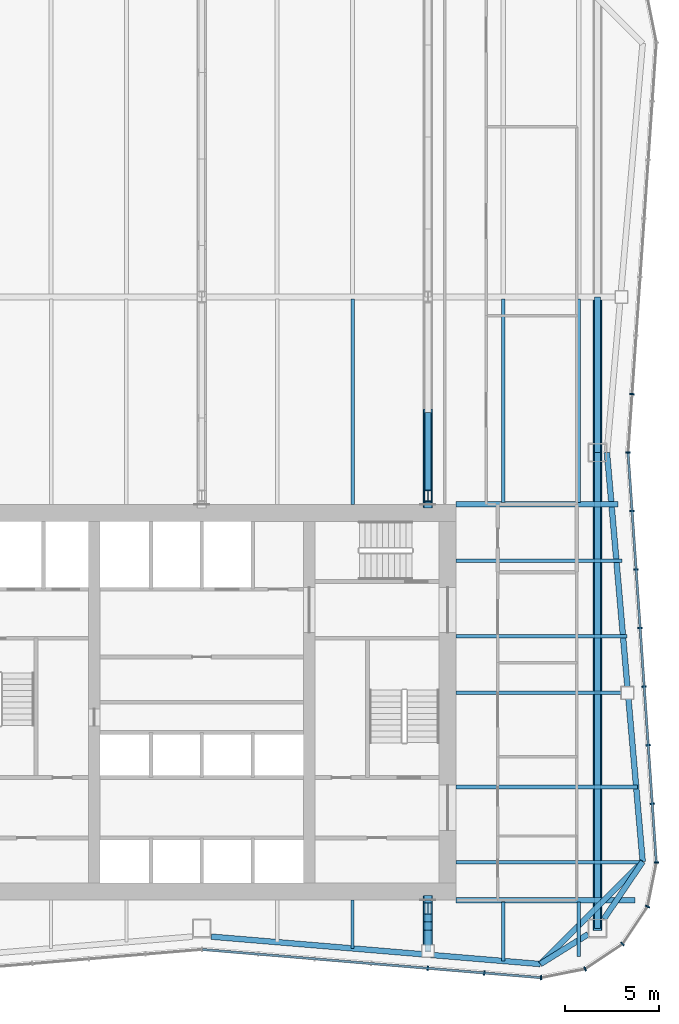
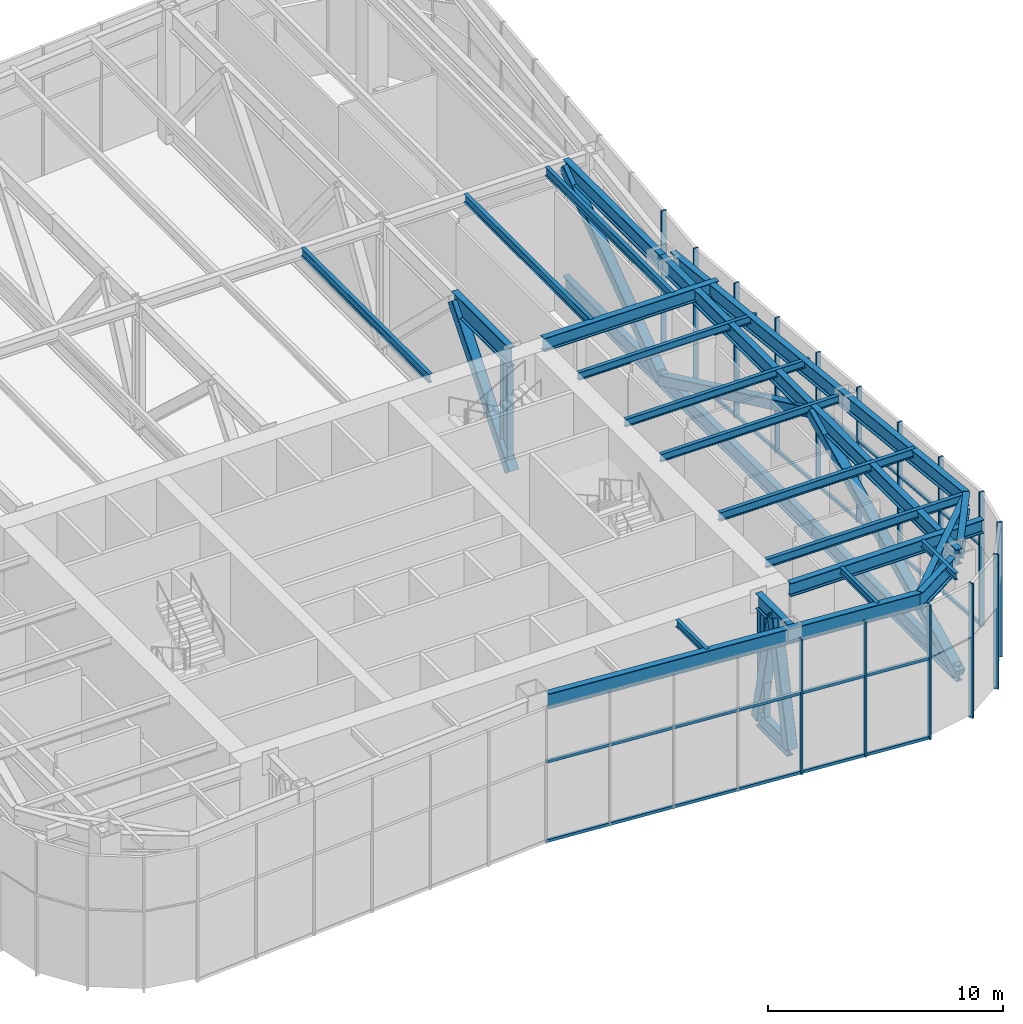
# One storey, part 4 of 14: 36 members, 18 beams, 3 elements without a shape of their own.
"""IFC4 building model written with IfcOpenShell, lengths in metres."""

from ifc_helpers import new_model, si_unit, direction, frame, origin, origin_2d, place, context, subcontext, project, spatial, rectangle, hollow_rectangle, i_section, extrude, material, material_profile, profile_set, type_object, element, aggregate, save


model = new_model("IFC4")

# Units and contexts
model_context = context("Model", 3, precision=1e-05, world=origin(), true_north=direction((0.0, 1.0)))
body_context = subcontext(model_context, "Body", "Model", "MODEL_VIEW")
ifc_project = project(units=[si_unit("LENGTHUNIT", "METRE"), si_unit("AREAUNIT", "SQUARE_METRE"), si_unit("VOLUMEUNIT", "CUBIC_METRE"), si_unit("PLANEANGLEUNIT", "RADIAN"), si_unit("MASSUNIT", "GRAM", prefix="KILO")], contexts=[model_context])

# Site, building, storey
site_placement = place(None, origin())
site = spatial("IfcSite", under=ifc_project, at=site_placement, CompositionType="ELEMENT")
building_placement = place(site_placement, origin())
building = spatial("IfcBuilding", under=site, at=building_placement, Name="Verdant Reach Tower", CompositionType="ELEMENT")
storey_placement = place(building_placement, frame((0.0, 0.0, 226.0)))
storey = spatial("IfcBuildingStorey", under=building, at=storey_placement, Name="L52 Plant", CompositionType="ELEMENT", Elevation=226.0)

# Curtain wall, members
ifc_material_1 = material(Name="Anodised aluminium", Category="aluminium")
curtain_wall_type = type_object("IfcCurtainWallType", Name="EN-CW SYSTEM PLANT", PredefinedType="NOTDEFINED", material=ifc_material_1)
curtain_wall_1_placement = place(storey_placement, origin())
curtain_wall_1 = element("IfcCurtainWall", 1, at=curtain_wall_1_placement, inside=storey, type_object=curtain_wall_type, Name="Curtain wall south-east corner, L52", PredefinedType="NOTDEFINED")
ifc_material_profile_1 = material_profile(ifc_material_1, rectangle(XDim=0.238037109375, YDim=0.080078125, at=origin_2d()), Name="Mullion 80x240")
ifc_profile_set_1 = profile_set([ifc_material_profile_1], Name="Anodised aluminium")
member_type_1 = type_object("IfcMemberType", Name="EN-MULLION PLANT", PredefinedType="MULLION", material=ifc_profile_set_1)
member_1_placement = place(storey_placement, frame((18.0068359375, 13.381103515625, -0.35009765625), z_axis=(0.0, 0.0, 1.0), x_axis=(0.056569187765, -0.998398681387, 0.0)))
member_1 = element("IfcMember", 2, at=member_1_placement, type_object=member_type_1, Name="Mullion south-east corner 1, L52", PredefinedType="MULLION", context=body_context, shape_type="SweptSolid", body=[
    extrude(rectangle(XDim=0.238037109375, YDim=0.080078125, at=origin_2d()), origin(), (0.0, 0.0, 1.0), 7.0),
])
member_2_placement = place(storey_placement, frame((20.341552734375, 13.8466796875, -0.35009765625), z_axis=(0.0, 0.0, 1.0), x_axis=(0.382693853776, -0.923875215753, 0.0)))
member_2 = element("IfcMember", 3, at=member_2_placement, type_object=member_type_1, Name="Mullion south-east corner 2, L52", PredefinedType="MULLION", context=body_context, shape_type="SweptSolid", body=[
    extrude(rectangle(XDim=0.238037109375, YDim=0.080078125, at=origin_2d()), origin(), (0.0, 0.0, 1.0), 7.0),
])
member_3_placement = place(storey_placement, frame((22.32666015625, 15.17333984375, -0.35009765625), z_axis=(0.0, 0.0, 1.0), x_axis=(0.707106781187, -0.707106781187, 0.0)))
member_3 = element("IfcMember", 4, at=member_3_placement, type_object=member_type_1, Name="Mullion south-east corner 3, L52", PredefinedType="MULLION", context=body_context, shape_type="SweptSolid", body=[
    extrude(rectangle(XDim=0.238037109375, YDim=0.080078125, at=origin_2d()), origin(), (0.0, 0.0, 1.0), 7.0),
])
member_4_placement = place(storey_placement, frame((23.6533203125, 17.158447265625, -0.35009765625), z_axis=(0.0, 0.0, 1.0), x_axis=(0.923875215753, -0.382693853776, 0.0)))
member_4 = element("IfcMember", 5, at=member_4_placement, type_object=member_type_1, Name="Mullion south-east corner 4, L52", PredefinedType="MULLION", context=body_context, shape_type="SweptSolid", body=[
    extrude(rectangle(XDim=0.238037109375, YDim=0.080078125, at=origin_2d()), origin(), (0.0, 0.0, 1.0), 7.0),
])
aggregate(curtain_wall_1, [member_1, member_2, member_3, member_4])

curtain_wall_2_placement = place(storey_placement, origin())
curtain_wall_2 = element("IfcCurtainWall", 6, at=curtain_wall_2_placement, inside=storey, type_object=curtain_wall_type, Name="Curtain wall east, L52", PredefinedType="NOTDEFINED")
member_5_placement = place(storey_placement, frame((24.11865234375, 19.492431640625, -0.35009765625), z_axis=(0.0, 0.0, 1.0), x_axis=(0.997969180898, -0.063698618332, 0.0)))
member_5 = element("IfcMember", 7, at=member_5_placement, type_object=member_type_1, Name="Mullion east face part 1 1, L52", PredefinedType="MULLION", context=body_context, shape_type="SweptSolid", body=[
    extrude(rectangle(XDim=0.238037109375, YDim=0.080078125, at=origin_2d()), origin(), (0.0, 0.0, 1.0), 7.0),
])
member_6_placement = place(storey_placement, frame((23.904541015625, 22.615234375, -0.35009765625), z_axis=(0.0, 0.0, 1.0), x_axis=(0.997630328423, 0.068802091615, 0.0)))
member_6 = element("IfcMember", 8, at=member_6_placement, type_object=member_type_1, Name="Mullion east face part 1 2, L52", PredefinedType="MULLION", context=body_context, shape_type="SweptSolid", body=[
    extrude(rectangle(XDim=0.238037109375, YDim=0.080078125, at=origin_2d()), origin(), (0.0, 0.0, 1.0), 7.0),
])
member_7_placement = place(storey_placement, frame((23.690185546875, 25.722412109375, -0.35009765625), z_axis=(0.0, 0.0, 1.0), x_axis=(0.997630328423, 0.068802091615, 0.0)))
member_7 = element("IfcMember", 9, at=member_7_placement, type_object=member_type_1, Name="Mullion east face part 1 3, L52", PredefinedType="MULLION", context=body_context, shape_type="SweptSolid", body=[
    extrude(rectangle(XDim=0.238037109375, YDim=0.080078125, at=origin_2d()), origin(), (0.0, 0.0, 1.0), 7.0),
])
member_8_placement = place(storey_placement, frame((23.475830078125, 28.82958984375, -0.35009765625), z_axis=(0.0, 0.0, 1.0), x_axis=(0.997630328423, 0.068802091615, 0.0)))
member_8 = element("IfcMember", 10, at=member_8_placement, type_object=member_type_1, Name="Mullion east face part 1 4, L52", PredefinedType="MULLION", context=body_context, shape_type="SweptSolid", body=[
    extrude(rectangle(XDim=0.238037109375, YDim=0.080078125, at=origin_2d()), origin(), (0.0, 0.0, 1.0), 7.0),
])
member_9_placement = place(storey_placement, frame((23.261474609375, 31.936767578125, -0.35009765625), z_axis=(0.0, 0.0, 1.0), x_axis=(0.997630328423, 0.068802091615, 0.0)))
member_9 = element("IfcMember", 11, at=member_9_placement, type_object=member_type_1, Name="Mullion east face part 1 5, L52", PredefinedType="MULLION", context=body_context, shape_type="SweptSolid", body=[
    extrude(rectangle(XDim=0.238037109375, YDim=0.080078125, at=origin_2d()), origin(), (0.0, 0.0, 1.0), 7.0),
])
member_10_placement = place(storey_placement, frame((23.04736328125, 35.0439453125, -0.35009765625), z_axis=(0.0, 0.0, 1.0), x_axis=(0.997630328423, 0.068802091615, 0.0)))
member_10 = element("IfcMember", 12, at=member_10_placement, type_object=member_type_1, Name="Mullion east face part 1 6, L52", PredefinedType="MULLION", context=body_context, shape_type="SweptSolid", body=[
    extrude(rectangle(XDim=0.238037109375, YDim=0.080078125, at=origin_2d()), origin(), (0.0, 0.0, 1.0), 7.0),
])
member_11_placement = place(storey_placement, frame((22.8330078125, 38.151123046875, -0.35009765625), z_axis=(0.0, 0.0, 1.0), x_axis=(0.997630328423, 0.068802091615, 0.0)))
member_11 = element("IfcMember", 13, at=member_11_placement, type_object=member_type_1, Name="Mullion east face part 1 7, L52", PredefinedType="MULLION", context=body_context, shape_type="SweptSolid", body=[
    extrude(rectangle(XDim=0.238037109375, YDim=0.080078125, at=origin_2d()), origin(), (0.0, 0.0, 1.0), 7.0),
])
member_12_placement = place(storey_placement, frame((22.618896484375, 41.25, -0.35009765625), z_axis=(0.0, 0.0, 1.0), x_axis=(1.0, 0.0, 0.0)))
member_12 = element("IfcMember", 14, at=member_12_placement, type_object=member_type_1, Name="Mullion east face part 2 1, L52", PredefinedType="MULLION", context=body_context, shape_type="SweptSolid", body=[
    extrude(rectangle(XDim=0.238037109375, YDim=0.080078125, at=origin_2d()), origin(), (0.0, 0.0, 1.0), 7.0),
])
member_13_placement = place(storey_placement, frame((22.8330078125, 44.348876953125, -0.35009765625), z_axis=(0.0, 0.0, 1.0), x_axis=(0.997630328423, -0.068802091615, 0.0)))
member_13 = element("IfcMember", 15, at=member_13_placement, type_object=member_type_1, Name="Mullion east face part 2 2, L52", PredefinedType="MULLION", context=body_context, shape_type="SweptSolid", body=[
    extrude(rectangle(XDim=0.238037109375, YDim=0.080078125, at=origin_2d()), origin(), (0.0, 0.0, 1.0), 7.0),
])

curtain_wall_3_placement = place(storey_placement, origin())
curtain_wall_3 = element("IfcCurtainWall", 16, at=curtain_wall_3_placement, inside=storey, type_object=curtain_wall_type, Name="Curtain wall south, L52", PredefinedType="NOTDEFINED")
member_14_placement = place(storey_placement, frame((11.990234375, 13.88134765625, -0.35009765625), z_axis=(0.0, 0.0, 1.0), x_axis=(-0.083045479859, -0.996545758244, 0.0)))
member_14 = element("IfcMember", 17, at=member_14_placement, type_object=member_type_1, Name="Mullion south face part 2 5, L52", PredefinedType="MULLION", context=body_context, shape_type="SweptSolid", body=[
    extrude(rectangle(XDim=0.238037109375, YDim=0.080078125, at=origin_2d()), origin(), (0.0, 0.0, 1.0), 7.0),
])
member_15_placement = place(storey_placement, frame((14.990234375, 13.63134765625, -0.35009765625), z_axis=(0.0, 0.0, 1.0), x_axis=(-0.083045479859, -0.996545758244, 0.0)))
member_15 = element("IfcMember", 18, at=member_15_placement, type_object=member_type_1, Name="Mullion south face part 2 6, L52", PredefinedType="MULLION", context=body_context, shape_type="SweptSolid", body=[
    extrude(rectangle(XDim=0.238037109375, YDim=0.080078125, at=origin_2d()), origin(), (0.0, 0.0, 1.0), 7.0),
])

# Member
ifc_material_profile_2 = material_profile(ifc_material_1, rectangle(XDim=0.1201171875, YDim=0.14990234375, at=origin_2d()), Name="Transom 150x120")
ifc_profile_set_2 = profile_set([ifc_material_profile_2], Name="Anodised aluminium")
member_type_2 = type_object("IfcMemberType", Name="EN-TRANSOM PLANT", PredefinedType="USERDEFINED", material=ifc_profile_set_2)
member_16_placement = place(storey_placement, frame((24.115966796875, 19.5322265625, -0.27490234375), z_axis=(-0.068761218296, 0.997633146431, 0.0), x_axis=(-0.997633146431, -0.068761218296, 0.0)))
member_16 = element("IfcMember", 19, at=member_16_placement, type_object=member_type_2, Name="Transom east face part 1 1.1, L52", ObjectType="TRANSOM", PredefinedType="USERDEFINED", context=body_context, shape_type="SweptSolid", body=[
    extrude(rectangle(XDim=0.1201171875, YDim=0.14990234375, at=origin_2d()), origin(), (0.0, 0.0, 1.0), 21.7294921875),
])

member_17_placement = place(storey_placement, frame((24.115966796875, 19.5322265625, 3.85009765625), z_axis=(-0.068761218296, 0.997633146431, 0.0), x_axis=(-0.997633146431, -0.068761218296, 0.0)))
member_17 = element("IfcMember", 20, at=member_17_placement, type_object=member_type_2, Name="Transom east face part 1 1.2, L52", ObjectType="TRANSOM", PredefinedType="USERDEFINED", context=body_context, shape_type="SweptSolid", body=[
    extrude(rectangle(XDim=0.1201171875, YDim=0.14990234375, at=origin_2d()), origin(), (0.0, 0.0, 1.0), 21.7294921875),
])

aggregate(curtain_wall_2, [member_5, member_6, member_7, member_8, member_9, member_10, member_11, member_16, member_17, member_12, member_13])

member_18_placement = place(storey_placement, frame((0.039794921875, 14.877685546875, -0.27490234375), z_axis=(0.996549220477, -0.083003922598, 0.0), x_axis=(0.083003922598, 0.996549220477, 0.0)))
member_18 = element("IfcMember", 21, at=member_18_placement, type_object=member_type_2, Name="Transom south face part 2 1.1, L52", ObjectType="TRANSOM", PredefinedType="USERDEFINED", context=body_context, shape_type="SweptSolid", body=[
    extrude(rectangle(XDim=0.1201171875, YDim=0.14990234375, at=origin_2d()), origin(), (0.0, 0.0, 1.0), 17.989013671875),
])

member_19_placement = place(storey_placement, frame((0.039794921875, 14.877685546875, 3.85009765625), z_axis=(0.996549220477, -0.083003922598, 0.0), x_axis=(0.083003922598, 0.996549220477, 0.0)))
member_19 = element("IfcMember", 22, at=member_19_placement, type_object=member_type_2, Name="Transom south face part 2 1.2, L52", ObjectType="TRANSOM", PredefinedType="USERDEFINED", context=body_context, shape_type="SweptSolid", body=[
    extrude(rectangle(XDim=0.1201171875, YDim=0.14990234375, at=origin_2d()), origin(), (0.0, 0.0, 1.0), 17.989013671875),
])

aggregate(curtain_wall_3, [member_14, member_15, member_18, member_19])

# Beams
ifc_material_2 = material(Name="Steel S355", Category="steel")
ifc_material_profile_3 = material_profile(ifc_material_2, i_section(OverallWidth=0.300048828125, OverallDepth=0.699951171875, WebThickness=0.01708984375, FlangeThickness=0.031982421875, FilletRadius=0.027099609375, at=origin_2d()), Name="HEB 700")
ifc_profile_set_3 = profile_set([ifc_material_profile_3], Name="Steel S355")
beam_type_1 = type_object("IfcBeamType", Name="ST-BEAM-HEB700", PredefinedType="BEAM", material=ifc_profile_set_3)
beam_1_placement = place(storey_placement, frame((13.5, 38.5, 6.52001953125), z_axis=(1.0, 0.0, 0.0), x_axis=(0.0, 1.0, 0.0)))
element("IfcBeam", 23, at=beam_1_placement, inside=storey, type_object=beam_type_1, Name="Trimmer beam, L52 Plant", PredefinedType="BEAM", context=body_context, shape_type="SweptSolid", body=[
    extrude(i_section(OverallWidth=0.300048828125, OverallDepth=0.699951171875, WebThickness=0.01708984375, FlangeThickness=0.031982421875, FilletRadius=0.027099609375, at=origin_2d()), origin(), (0.0, 0.0, 1.0), 8.588134765625),
])
beam_2_placement = place(storey_placement, frame((13.5, 17.5, 6.52001953125), z_axis=(1.0, 0.0, 0.0), x_axis=(0.0, 1.0, 0.0)))
element("IfcBeam", 24, at=beam_2_placement, inside=storey, type_object=beam_type_1, Name="Trimmer beam, L52 Plant", PredefinedType="BEAM", context=body_context, shape_type="SweptSolid", body=[
    extrude(i_section(OverallWidth=0.300048828125, OverallDepth=0.699951171875, WebThickness=0.01708984375, FlangeThickness=0.031982421875, FilletRadius=0.027099609375, at=origin_2d()), origin(), (0.0, 0.0, 1.0), 9.490478515625),
])
ifc_material_profile_4 = material_profile(ifc_material_2, i_section(OverallWidth=0.302001953125, OverallDepth=0.909912109375, WebThickness=0.02099609375, FlangeThickness=0.0400390625, FilletRadius=0.030029296875, at=origin_2d()), Name="HEM 900")
ifc_profile_set_4 = profile_set([ifc_material_profile_4], Name="Steel S355")
beam_type_2 = type_object("IfcBeamType", Name="ST-BEAM-HEM900", PredefinedType="BEAM", material=ifc_profile_set_4)
beam_3_placement = place(storey_placement, frame((20.5, 15.687744140625, 6.4150390625), z_axis=(-0.848163521635, -0.529734500073, 0.0), x_axis=(0.529734500073, -0.848163521635, 0.0)))
element("IfcBeam", 25, at=beam_3_placement, inside=storey, type_object=beam_type_2, Name="Column stub beam, L52 Plant", PredefinedType="BEAM", context=body_context, shape_type="SweptSolid", body=[
    extrude(i_section(OverallWidth=0.302001953125, OverallDepth=0.909912109375, WebThickness=0.02099609375, FlangeThickness=0.0400390625, FilletRadius=0.030029296875, at=origin_2d()), origin(), (0.0, 0.0, 1.0), 2.98779296875),
])
beam_4_placement = place(storey_placement, frame((21.33837890625, 16.5, 6.4150390625), z_axis=(0.560703975309, 0.828016335631, 0.0), x_axis=(-0.828016335631, 0.560703975309, 0.0)))
element("IfcBeam", 26, at=beam_4_placement, inside=storey, type_object=beam_type_2, Name="Column stub beam, L52 Plant", PredefinedType="BEAM", context=body_context, shape_type="SweptSolid", body=[
    extrude(i_section(OverallWidth=0.302001953125, OverallDepth=0.909912109375, WebThickness=0.02099609375, FlangeThickness=0.0400390625, FilletRadius=0.030029296875, at=origin_2d()), origin(), (0.0, 0.0, 1.0), 3.669677734375),
])
ifc_material_profile_5 = material_profile(ifc_material_2, i_section(OverallWidth=0.169921875, OverallDepth=0.360107421875, WebThickness=0.008056640625, FlangeThickness=0.0126953125, FilletRadius=0.01806640625, at=origin_2d()), Name="IPE 360")
ifc_profile_set_5 = profile_set([ifc_material_profile_5], Name="Steel S355")
beam_type_3 = type_object("IfcBeamType", Name="ST-JOIST-IPE360", PredefinedType="JOIST", material=ifc_profile_set_5)
beam_5_placement = place(storey_placement, frame((8.0, 17.5, 6.68994140625), z_axis=(0.0, -1.0, 0.0), x_axis=(1.0, 0.0, 0.0)))
element("IfcBeam", 27, at=beam_5_placement, inside=storey, type_object=beam_type_3, Name="Floor joist, L52 Plant", PredefinedType="JOIST", context=body_context, shape_type="SweptSolid", body=[
    extrude(i_section(OverallWidth=0.169921875, OverallDepth=0.360107421875, WebThickness=0.008056640625, FlangeThickness=0.0126953125, FilletRadius=0.01806640625, at=origin_2d()), origin(), (0.0, 0.0, 1.0), 2.564697265625),
])
beam_6_placement = place(storey_placement, frame((16.0, 17.39990234375, 6.68994140625), z_axis=(0.0, -1.0, 0.0), x_axis=(1.0, 0.0, 0.0)))
element("IfcBeam", 28, at=beam_6_placement, inside=storey, type_object=beam_type_3, Name="Floor joist, L52 Plant", PredefinedType="JOIST", context=body_context, shape_type="SweptSolid", body=[
    extrude(i_section(OverallWidth=0.169921875, OverallDepth=0.360107421875, WebThickness=0.008056640625, FlangeThickness=0.0126953125, FilletRadius=0.01806640625, at=origin_2d()), origin(), (0.0, 0.0, 1.0), 3.131103515625),
])
beam_7_placement = place(storey_placement, frame((20.0, 17.39990234375, 6.68994140625), z_axis=(0.0, -1.0, 0.0), x_axis=(1.0, 0.0, 0.0)))
element("IfcBeam", 29, at=beam_7_placement, inside=storey, type_object=beam_type_3, Name="Floor joist, L52 Plant", PredefinedType="JOIST", context=body_context, shape_type="SweptSolid", body=[
    extrude(i_section(OverallWidth=0.169921875, OverallDepth=0.360107421875, WebThickness=0.008056640625, FlangeThickness=0.0126953125, FilletRadius=0.01806640625, at=origin_2d()), origin(), (0.0, 0.0, 1.0), 2.890380859375),
])
ifc_material_profile_6 = material_profile(ifc_material_2, i_section(OverallWidth=0.179931640625, OverallDepth=0.39990234375, WebThickness=0.008544921875, FlangeThickness=0.013427734375, FilletRadius=0.02099609375, at=origin_2d()), Name="IPE 400")
ifc_profile_set_6 = profile_set([ifc_material_profile_6], Name="Steel S355")
beam_type_4 = type_object("IfcBeamType", Name="ST-JOIST-IPE400", PredefinedType="JOIST", material=ifc_profile_set_6)
beam_8_placement = place(storey_placement, frame((13.5, 28.5, 6.669921875), z_axis=(1.0, 0.0, 0.0), x_axis=(0.0, 1.0, 0.0)))
element("IfcBeam", 30, at=beam_8_placement, inside=storey, type_object=beam_type_4, Name="Floor joist, L52 Plant", PredefinedType="JOIST", context=body_context, shape_type="SweptSolid", body=[
    extrude(i_section(OverallWidth=0.179931640625, OverallDepth=0.39990234375, WebThickness=0.008544921875, FlangeThickness=0.013427734375, FilletRadius=0.02099609375, at=origin_2d()), origin(), (0.0, 0.0, 1.0), 8.775390625),
])
beam_9_placement = place(storey_placement, frame((13.5, 31.5, 6.669921875), z_axis=(1.0, 0.0, 0.0), x_axis=(0.0, 1.0, 0.0)))
element("IfcBeam", 31, at=beam_9_placement, inside=storey, type_object=beam_type_4, Name="Floor joist, L52 Plant", PredefinedType="JOIST", context=body_context, shape_type="SweptSolid", body=[
    extrude(i_section(OverallWidth=0.179931640625, OverallDepth=0.39990234375, WebThickness=0.008544921875, FlangeThickness=0.013427734375, FilletRadius=0.02099609375, at=origin_2d()), origin(), (0.0, 0.0, 1.0), 9.071044921875),
])
beam_10_placement = place(storey_placement, frame((13.5, 35.5, 6.669921875), z_axis=(1.0, 0.0, 0.0), x_axis=(0.0, 1.0, 0.0)))
element("IfcBeam", 32, at=beam_10_placement, inside=storey, type_object=beam_type_4, Name="Floor joist, L52 Plant", PredefinedType="JOIST", context=body_context, shape_type="SweptSolid", body=[
    extrude(i_section(OverallWidth=0.179931640625, OverallDepth=0.39990234375, WebThickness=0.008544921875, FlangeThickness=0.013427734375, FilletRadius=0.02099609375, at=origin_2d()), origin(), (0.0, 0.0, 1.0), 8.795166015625),
])
ifc_material_profile_7 = material_profile(ifc_material_2, i_section(OverallWidth=0.18994140625, OverallDepth=0.449951171875, WebThickness=0.009521484375, FlangeThickness=0.0146484375, FilletRadius=0.02099609375, at=origin_2d()), Name="IPE 450")
ifc_profile_set_7 = profile_set([ifc_material_profile_7], Name="Steel S355")
beam_type_5 = type_object("IfcBeamType", Name="ST-JOIST-IPE450", PredefinedType="JOIST", material=ifc_profile_set_7)
beam_11_placement = place(storey_placement, frame((8.0, 38.5, 6.64501953125), z_axis=(0.0, 1.0, 0.0), x_axis=(-1.0, 0.0, 0.0)))
element("IfcBeam", 33, at=beam_11_placement, inside=storey, type_object=beam_type_5, Name="Floor joist, L52 Plant", PredefinedType="JOIST", context=body_context, shape_type="SweptSolid", body=[
    extrude(i_section(OverallWidth=0.18994140625, OverallDepth=0.449951171875, WebThickness=0.009521484375, FlangeThickness=0.0146484375, FilletRadius=0.02099609375, at=origin_2d()), origin(), (0.0, 0.0, 1.0), 10.89990234375),
])
for number, where, z_axis, x_axis, name in (
    (34, (16.0, 38.60009765625, 6.64501953125), (0.0, 1.0, 0.0), (-1.0, 0.0, 0.0), "Floor joist, L52 Plant"),
    (35, (20.0, 38.60009765625, 6.64501953125), (0.0, 1.0, 0.0), (-1.0, 0.0, 0.0), "Floor joist, L52 Plant"),
):
    element("IfcBeam", number, at=place(storey_placement, frame(where, z_axis=z_axis, x_axis=x_axis)), inside=storey, type_object=beam_type_5, Name=name, PredefinedType="JOIST", context=body_context, shape_type="SweptSolid", body=[
        extrude(i_section(OverallWidth=0.18994140625, OverallDepth=0.449951171875, WebThickness=0.009521484375, FlangeThickness=0.0146484375, FilletRadius=0.02099609375, at=origin_2d()), origin(), (0.0, 0.0, 1.0), 10.7998046875),
    ])
beam_12_placement = place(storey_placement, frame((13.5, 19.5, 6.64501953125), z_axis=(1.0, 0.0, 0.0), x_axis=(0.0, 1.0, 0.0)))
element("IfcBeam", 36, at=beam_12_placement, inside=storey, type_object=beam_type_5, Name="Floor joist, L52 Plant", PredefinedType="JOIST", context=body_context, shape_type="SweptSolid", body=[
    extrude(i_section(OverallWidth=0.18994140625, OverallDepth=0.449951171875, WebThickness=0.009521484375, FlangeThickness=0.0146484375, FilletRadius=0.02099609375, at=origin_2d()), origin(), (0.0, 0.0, 1.0), 9.88818359375),
])
beam_13_placement = place(storey_placement, frame((13.5, 23.5, 6.64501953125), z_axis=(1.0, 0.0, 0.0), x_axis=(0.0, 1.0, 0.0)))
element("IfcBeam", 37, at=beam_13_placement, inside=storey, type_object=beam_type_5, Name="Floor joist, L52 Plant", PredefinedType="JOIST", context=body_context, shape_type="SweptSolid", body=[
    extrude(i_section(OverallWidth=0.18994140625, OverallDepth=0.449951171875, WebThickness=0.009521484375, FlangeThickness=0.0146484375, FilletRadius=0.02099609375, at=origin_2d()), origin(), (0.0, 0.0, 1.0), 9.622802734375),
])
ifc_material_profile_8 = material_profile(ifc_material_2, i_section(OverallWidth=0.300048828125, OverallDepth=0.800048828125, WebThickness=0.017578125, FlangeThickness=0.032958984375, FilletRadius=0.030029296875, at=origin_2d()), Name="HEB 800")
ifc_profile_set_8 = profile_set([ifc_material_profile_8], Name="Steel S355")
beam_type_6 = type_object("IfcBeamType", Name="ST-SPANDREL-HEB800", PredefinedType="SPANDREL", material=ifc_profile_set_8)
beam_14_placement = place(storey_placement, frame((17.9658203125, 14.10498046875, 6.469970703125), z_axis=(-0.99654652675, 0.083036257282, 0.0), x_axis=(-0.083036257282, -0.99654652675, 0.0)))
element("IfcBeam", 38, at=beam_14_placement, inside=storey, type_object=beam_type_6, Name="Edge beam, L52 Plant", PredefinedType="SPANDREL", context=body_context, shape_type="SweptSolid", body=[
    extrude(i_section(OverallWidth=0.300048828125, OverallDepth=0.800048828125, WebThickness=0.017578125, FlangeThickness=0.032958984375, FilletRadius=0.030029296875, at=origin_2d()), origin(), (0.0, 0.0, 1.0), 17.5263671875),
])
beam_15_placement = place(storey_placement, frame((21.5, 41.25, 6.469970703125), z_axis=(0.086996024331, -0.996208658741, 0.0), x_axis=(0.996208658741, 0.086996024331, 0.0)))
element("IfcBeam", 39, at=beam_15_placement, inside=storey, type_object=beam_type_6, Name="Edge beam, L52 Plant", PredefinedType="SPANDREL", context=body_context, shape_type="SweptSolid", body=[
    extrude(i_section(OverallWidth=0.300048828125, OverallDepth=0.800048828125, WebThickness=0.017578125, FlangeThickness=0.032958984375, FilletRadius=0.030029296875, at=origin_2d()), origin(), (0.0, 0.0, 1.0), 21.7939453125),
])
ifc_material_profile_9 = material_profile(ifc_material_2, i_section(OverallWidth=0.302001953125, OverallDepth=0.909912109375, WebThickness=0.02099609375, FlangeThickness=0.0400390625, FilletRadius=0.030029296875, at=origin_2d()), Name="HEM 900")
ifc_profile_set_9 = profile_set([ifc_material_profile_9], Name="Steel S355")
beam_type_7 = type_object("IfcBeamType", Name="ST-SPANDREL-HEM900", PredefinedType="SPANDREL", material=ifc_profile_set_9)
beam_16_placement = place(storey_placement, frame((23.39599609375, 19.53857421875, 6.4150390625), z_axis=(-0.706884275642, -0.707329216738, 0.0), x_axis=(0.707329216738, -0.706884275642, 0.0)))
element("IfcBeam", 40, at=beam_16_placement, inside=storey, type_object=beam_type_7, Name="Edge beam, L52 Plant", PredefinedType="SPANDREL", context=body_context, shape_type="SweptSolid", body=[
    extrude(i_section(OverallWidth=0.302001953125, OverallDepth=0.909912109375, WebThickness=0.02099609375, FlangeThickness=0.0400390625, FilletRadius=0.030029296875, at=origin_2d()), origin(), (0.0, 0.0, 1.0), 7.681884765625),
])

# Members
ifc_material_3 = material(Name="Steel S460", Category="steel")
ifc_material_profile_10 = material_profile(ifc_material_3, hollow_rectangle(XDim=0.5, YDim=0.5, WallThickness=0.02490234375, InnerFilletRadius=0.02490234375, OuterFilletRadius=0.050048828125, at=origin_2d()), Name="RHS 500x500x25")
ifc_profile_set_10 = profile_set([ifc_material_profile_10], Name="Steel S460")
member_type_3 = type_object("IfcMemberType", Name="ST-TRUSS-BRACE-RHS500x500x25", PredefinedType="BRACE", material=ifc_profile_set_10)
member_20_placement = place(storey_placement, frame((12.0, 38.5, 0.406982421875), z_axis=(0.0, 0.63317734868, 0.774006747463), x_axis=(-1.0, 0.0, 0.0)))
element("IfcMember", 41, at=member_20_placement, inside=storey, type_object=member_type_3, Name="Belt truss E north, diagonal, L52 Plant", PredefinedType="BRACE", context=body_context, shape_type="SweptSolid", body=[
    extrude(hollow_rectangle(XDim=0.5, YDim=0.5, WallThickness=0.02490234375, InnerFilletRadius=0.02490234375, OuterFilletRadius=0.050048828125, at=origin_2d()), origin(), (0.0, 0.0, 1.0), 7.698974609375),
])
member_21_placement = place(storey_placement, frame((12.0, 17.5, 0.406982421875), z_axis=(0.0, -0.22134071783, 0.975196537438), x_axis=(1.0, 0.0, 0.0)))
element("IfcMember", 42, at=member_21_placement, inside=storey, type_object=member_type_3, Name="Belt truss E south, diagonal, L52 Plant", PredefinedType="BRACE", context=body_context, shape_type="SweptSolid", body=[
    extrude(hollow_rectangle(XDim=0.5, YDim=0.5, WallThickness=0.02490234375, InnerFilletRadius=0.02490234375, OuterFilletRadius=0.050048828125, at=origin_2d()), origin(), (0.0, 0.0, 1.0), 6.2099609375),
])
member_22_placement = place(storey_placement, frame((12.0, 16.12548828125, 6.462890625), z_axis=(0.0, -0.21384368681, -0.976867891586), x_axis=(1.0, 0.0, 0.0)))
element("IfcMember", 43, at=member_22_placement, inside=storey, type_object=member_type_3, Name="Belt truss E south, diagonal, L52 Plant", PredefinedType="BRACE", context=body_context, shape_type="SweptSolid", body=[
    extrude(hollow_rectangle(XDim=0.5, YDim=0.5, WallThickness=0.02490234375, InnerFilletRadius=0.02490234375, OuterFilletRadius=0.050048828125, at=origin_2d()), origin(), (0.0, 0.0, 1.0), 6.19921875),
])
member_23_placement = place(storey_placement, frame((21.0, 16.0, 0.406982421875), z_axis=(0.0, 0.899946841139, 0.43599963661), x_axis=(-1.0, 0.0, 0.0)))
element("IfcMember", 44, at=member_23_placement, inside=storey, type_object=member_type_3, Name="Belt truss F east, diagonal, L52 Plant", PredefinedType="BRACE", context=body_context, shape_type="SweptSolid", body=[
    extrude(hollow_rectangle(XDim=0.5, YDim=0.5, WallThickness=0.02490234375, InnerFilletRadius=0.02490234375, OuterFilletRadius=0.050048828125, at=origin_2d()), origin(), (0.0, 0.0, 1.0), 13.8896484375),
])
member_24_placement = place(storey_placement, frame((21.0, 28.5, 6.462890625), z_axis=(0.0, 0.903286888821, -0.429037057238), x_axis=(-1.0, 0.0, 0.0)))
element("IfcMember", 45, at=member_24_placement, inside=storey, type_object=member_type_3, Name="Belt truss F east, diagonal, L52 Plant", PredefinedType="BRACE", context=body_context, shape_type="SweptSolid", body=[
    extrude(hollow_rectangle(XDim=0.5, YDim=0.5, WallThickness=0.02490234375, InnerFilletRadius=0.02490234375, OuterFilletRadius=0.050048828125, at=origin_2d()), origin(), (0.0, 0.0, 1.0), 14.115234375),
])
member_25_placement = place(storey_placement, frame((21.0, 41.25, 0.406982421875), z_axis=(0.0, 0.806129603415, 0.591739015528), x_axis=(-1.0, 0.0, 0.0)))
element("IfcMember", 46, at=member_25_placement, inside=storey, type_object=member_type_3, Name="Belt truss F east, diagonal, L52 Plant", PredefinedType="BRACE", context=body_context, shape_type="SweptSolid", body=[
    extrude(hollow_rectangle(XDim=0.5, YDim=0.5, WallThickness=0.02490234375, InnerFilletRadius=0.02490234375, OuterFilletRadius=0.050048828125, at=origin_2d()), origin(), (0.0, 0.0, 1.0), 10.234130859375),
])
ifc_material_profile_11 = material_profile(ifc_material_3, i_section(OverallWidth=0.302001953125, OverallDepth=1.008056640625, WebThickness=0.02099609375, FlangeThickness=0.0400390625, FilletRadius=0.030029296875, at=origin_2d()), Name="HEM 1000")
ifc_profile_set_11 = profile_set([ifc_material_profile_11], Name="Steel S460")
member_type_4 = type_object("IfcMemberType", Name="ST-TRUSS-CHORD-HEM1000", PredefinedType="CHORD", material=ifc_profile_set_11)
member_26_placement = place(storey_placement, frame((12.0, 38.5, 6.365966796875), z_axis=(0.0, 1.0, 0.0), x_axis=(-1.0, 0.0, 0.0)))
element("IfcMember", 47, at=member_26_placement, inside=storey, type_object=member_type_4, Name="Belt truss E north, top chord, L52 Plant", PredefinedType="CHORD", context=body_context, shape_type="SweptSolid", body=[
    extrude(i_section(OverallWidth=0.302001953125, OverallDepth=1.008056640625, WebThickness=0.02099609375, FlangeThickness=0.0400390625, FilletRadius=0.030029296875, at=origin_2d()), origin(), (0.0, 0.0, 1.0), 4.874755859375),
])
ifc_material_profile_12 = material_profile(ifc_material_3, i_section(OverallWidth=0.302978515625, OverallDepth=0.81396484375, WebThickness=0.02099609375, FlangeThickness=0.0400390625, FilletRadius=0.030029296875, at=origin_2d()), Name="HEM 800")
ifc_profile_set_12 = profile_set([ifc_material_profile_12], Name="Steel S460")
member_type_5 = type_object("IfcMemberType", Name="ST-TRUSS-CHORD-HEM800", PredefinedType="CHORD", material=ifc_profile_set_12)
member_27_placement = place(storey_placement, frame((12.0, 17.5, 6.462890625), z_axis=(0.0, -1.0, 0.0), x_axis=(1.0, 0.0, 0.0)))
element("IfcMember", 48, at=member_27_placement, inside=storey, type_object=member_type_5, Name="Belt truss E south, top chord, L52 Plant", PredefinedType="CHORD", context=body_context, shape_type="SweptSolid", body=[
    extrude(i_section(OverallWidth=0.302978515625, OverallDepth=0.81396484375, WebThickness=0.02099609375, FlangeThickness=0.0400390625, FilletRadius=0.030029296875, at=origin_2d()), origin(), (0.0, 0.0, 1.0), 2.748779296875),
])
member_28_placement = place(storey_placement, frame((12.0, 17.5, 0.406982421875), z_axis=(0.0, -1.0, 0.0), x_axis=(1.0, 0.0, 0.0)))
element("IfcMember", 49, at=member_28_placement, inside=storey, type_object=member_type_5, Name="Belt truss E south, bottom chord, L52 Plant", PredefinedType="CHORD", context=body_context, shape_type="SweptSolid", body=[
    extrude(i_section(OverallWidth=0.302978515625, OverallDepth=0.81396484375, WebThickness=0.02099609375, FlangeThickness=0.0400390625, FilletRadius=0.030029296875, at=origin_2d()), origin(), (0.0, 0.0, 1.0), 2.7001953125),
])
for number, where, z_axis, x_axis, name in (
    (50, (21.0, 16.0, 6.462890625), (0.0, 1.0, 0.0), (-1.0, 0.0, 0.0), "Belt truss F east, top chord, L52 Plant"),
    (51, (21.0, 16.0, 0.406982421875), (0.0, 1.0, 0.0), (-1.0, 0.0, 0.0), "Belt truss F east, bottom chord, L52 Plant"),
):
    element("IfcMember", number, at=place(storey_placement, frame(where, z_axis=z_axis, x_axis=x_axis)), inside=storey, type_object=member_type_5, Name=name, PredefinedType="CHORD", context=body_context, shape_type="SweptSolid", body=[
        extrude(i_section(OverallWidth=0.302978515625, OverallDepth=0.81396484375, WebThickness=0.02099609375, FlangeThickness=0.0400390625, FilletRadius=0.030029296875, at=origin_2d()), origin(), (0.0, 0.0, 1.0), 12.5),
    ])
for number, where, z_axis, x_axis, name in (
    (52, (21.0, 28.5, 6.462890625), (0.0, 1.0, 0.0), (-1.0, 0.0, 0.0), "Belt truss F east, top chord, L52 Plant"),
    (53, (21.0, 28.5, 0.406982421875), (0.0, 1.0, 0.0), (-1.0, 0.0, 0.0), "Belt truss F east, bottom chord, L52 Plant"),
):
    element("IfcMember", number, at=place(storey_placement, frame(where, z_axis=z_axis, x_axis=x_axis)), inside=storey, type_object=member_type_5, Name=name, PredefinedType="CHORD", context=body_context, shape_type="SweptSolid", body=[
        extrude(i_section(OverallWidth=0.302978515625, OverallDepth=0.81396484375, WebThickness=0.02099609375, FlangeThickness=0.0400390625, FilletRadius=0.030029296875, at=origin_2d()), origin(), (0.0, 0.0, 1.0), 12.75),
    ])
for number, where, z_axis, x_axis, name in (
    (54, (21.0, 41.25, 6.462890625), (0.0, 1.0, 0.0), (-1.0, 0.0, 0.0), "Belt truss F east, top chord, L52 Plant"),
    (55, (21.0, 41.25, 0.406982421875), (0.0, 1.0, 0.0), (-1.0, 0.0, 0.0), "Belt truss F east, bottom chord, L52 Plant"),
):
    element("IfcMember", number, at=place(storey_placement, frame(where, z_axis=z_axis, x_axis=x_axis)), inside=storey, type_object=member_type_5, Name=name, PredefinedType="CHORD", context=body_context, shape_type="SweptSolid", body=[
        extrude(i_section(OverallWidth=0.302978515625, OverallDepth=0.81396484375, WebThickness=0.02099609375, FlangeThickness=0.0400390625, FilletRadius=0.030029296875, at=origin_2d()), origin(), (0.0, 0.0, 1.0), 8.25),
    ])
ifc_material_profile_13 = material_profile(ifc_material_3, i_section(OverallWidth=0.304931640625, OverallDepth=0.6201171875, WebThickness=0.02099609375, FlangeThickness=0.0400390625, FilletRadius=0.027099609375, at=origin_2d()), Name="HEM 600")
ifc_profile_set_13 = profile_set([ifc_material_profile_13], Name="Steel S460")
member_type_6 = type_object("IfcMemberType", Name="ST-TRUSS-POST-HEM600", PredefinedType="POST", material=ifc_profile_set_13)
member_29_placement = place(storey_placement, frame((12.0, 38.949951171875, 0.833984375), z_axis=(0.0, 0.0, 1.0), x_axis=(1.0, 0.0, 0.0)))
element("IfcMember", 56, at=member_29_placement, inside=storey, type_object=member_type_6, Name="Belt truss E north, end post, L52 Plant", PredefinedType="POST", context=body_context, shape_type="SweptSolid", body=[
    extrude(i_section(OverallWidth=0.304931640625, OverallDepth=0.6201171875, WebThickness=0.02099609375, FlangeThickness=0.0400390625, FilletRadius=0.027099609375, at=origin_2d()), origin(), (0.0, 0.0, 1.0), 5.008056640625),
])
member_30_placement = place(storey_placement, frame((12.0, 17.050048828125, 0.833984375), z_axis=(0.0, 0.0, 1.0), x_axis=(1.0, 0.0, 0.0)))
element("IfcMember", 57, at=member_30_placement, inside=storey, type_object=member_type_6, Name="Belt truss E south, end post, L52 Plant", PredefinedType="POST", context=body_context, shape_type="SweptSolid", body=[
    extrude(i_section(OverallWidth=0.304931640625, OverallDepth=0.6201171875, WebThickness=0.02099609375, FlangeThickness=0.0400390625, FilletRadius=0.027099609375, at=origin_2d()), origin(), (0.0, 0.0, 1.0), 5.201904296875),
])

save(model, "model.ifc")
